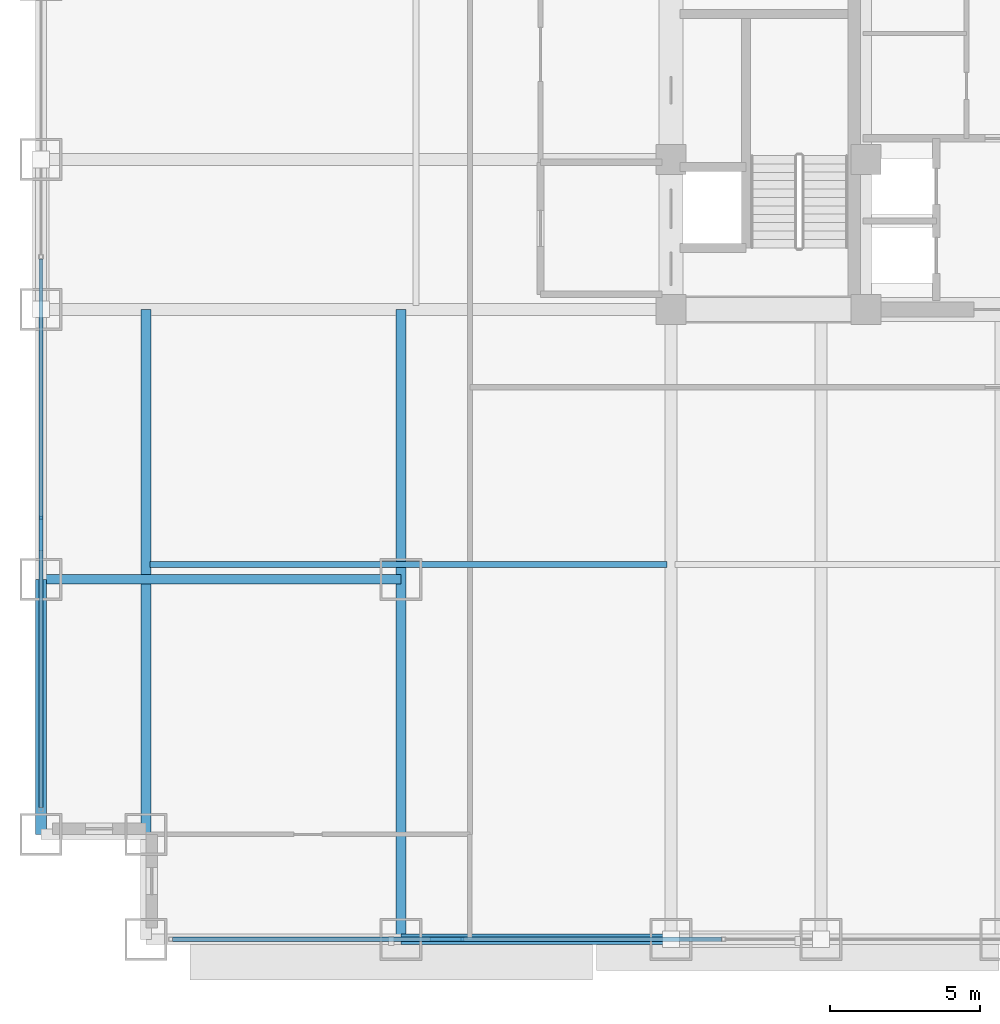
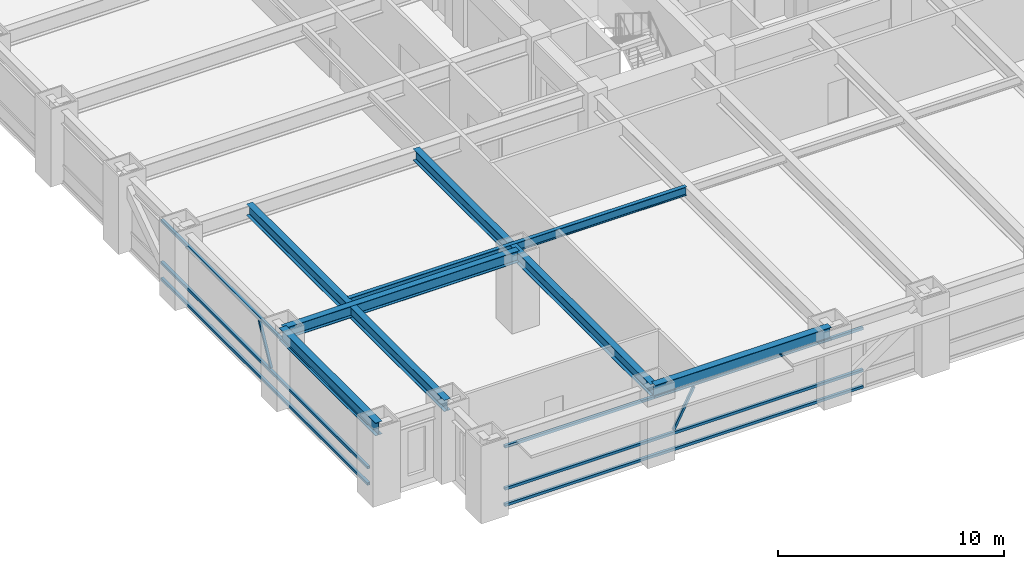
# One storey, part 3 of 31: 8 members, 6 beams, 2 elements without a shape of their own.
"""IFC4 building model written with IfcOpenShell, lengths in metres."""

from ifc_helpers import new_model, si_unit, direction, frame, origin, origin_2d, place, context, subcontext, project, spatial, hollow_rectangle, i_section, extrude, source, transform, mapped, material, material_profile, profile_set, type_object, element, aggregate, save


model = new_model("IFC4")

# Units and contexts
model_context = context("Model", 3, precision=1e-05, world=origin(), true_north=direction((0.0, 1.0)))
body_context = subcontext(model_context, "Body", "Model", "MODEL_VIEW")
ifc_project = project(units=[si_unit("LENGTHUNIT", "METRE"), si_unit("AREAUNIT", "SQUARE_METRE"), si_unit("VOLUMEUNIT", "CUBIC_METRE"), si_unit("PLANEANGLEUNIT", "RADIAN"), si_unit("MASSUNIT", "GRAM", prefix="KILO")], contexts=[model_context])

# Site, building, storey
site_placement = place(None, origin())
site = spatial("IfcSite", under=ifc_project, at=site_placement, CompositionType="ELEMENT")
building_placement = place(site_placement, origin())
building = spatial("IfcBuilding", under=site, at=building_placement, Name="Khorayat Bourse Tower", CompositionType="ELEMENT")
storey_placement = place(building_placement, frame((0.0, 0.0, 32.60009765625)))
storey = spatial("IfcBuildingStorey", under=building, at=storey_placement, Name="L06", CompositionType="ELEMENT", Elevation=32.60009765625)

# Beams
ifc_material_1 = material(Name="Steel ASTM A992 Grade 50", Category="steel")
ifc_material_profile_1 = material_profile(ifc_material_1, i_section(OverallWidth=0.35498046875, OverallDepth=0.695068359375, WebThickness=0.015380859375, FlangeThickness=0.02490234375, FilletRadius=0.01806640625, at=origin_2d()), Name="W690X217")
ifc_profile_set_1 = profile_set([ifc_material_profile_1], Name="Steel ASTM A992 Grade 50")
beam_type_1 = type_object("IfcBeamType", Name="BM-SPAN-690", PredefinedType="SPANDREL", material=ifc_profile_set_1)
shared_shape_1 = source(origin(), body_context, "Body", "SweptSolid", [
    extrude(i_section(OverallWidth=0.35498046875, OverallDepth=0.695068359375, WebThickness=0.015380859375, FlangeThickness=0.02490234375, FilletRadius=0.01806640625, at=origin_2d()), origin(), (0.0, 0.0, 1.0), 8.5),
])
beam_1_placement = place(storey_placement, frame((-32.0, -28.5, 3.59228515625), z_axis=(0.0, 1.0, 0.0), x_axis=(-1.0, 0.0, 0.0)))
element("IfcBeam", 1, at=beam_1_placement, inside=storey, type_object=beam_type_1, Name="L06 BM-SPAN-690 BM-L06-SPN-061", PredefinedType="SPANDREL", context=body_context, shape_type="MappedRepresentation", body=[
    mapped(shared_shape_1, transform((0.0, 0.0, 0.0), scale=1.0)),
])
shared_shape_2 = source(origin(), body_context, "Body", "SweptSolid", [
    extrude(i_section(OverallWidth=0.35498046875, OverallDepth=0.695068359375, WebThickness=0.015380859375, FlangeThickness=0.02490234375, FilletRadius=0.01806640625, at=origin_2d()), origin(), (0.0, 0.0, 1.0), 9.0),
])
beam_2_placement = place(storey_placement, frame((-20.0, -32.0, 3.59228515625), z_axis=(1.0, 0.0, 0.0), x_axis=(0.0, 1.0, 0.0)))
element("IfcBeam", 2, at=beam_2_placement, inside=storey, type_object=beam_type_1, Name="L06 BM-SPAN-690 BM-L06-SPN-025", PredefinedType="SPANDREL", context=body_context, shape_type="MappedRepresentation", body=[
    mapped(shared_shape_2, transform((0.0, 0.0, 0.0), scale=1.0)),
])
ifc_material_profile_2 = material_profile(ifc_material_1, i_section(OverallWidth=0.324951171875, OverallDepth=0.615966796875, WebThickness=0.013916015625, FlangeThickness=0.021484375, FilletRadius=0.01611328125, at=origin_2d()), Name="W610X174")
ifc_profile_set_2 = profile_set([ifc_material_profile_2], Name="Steel ASTM A992 Grade 50")
beam_type_2 = type_object("IfcBeamType", Name="BM-GIRD-610", PredefinedType="BEAM", material=ifc_profile_set_2)
shared_shape_3 = source(origin(), body_context, "Body", "SweptSolid", [
    extrude(i_section(OverallWidth=0.324951171875, OverallDepth=0.615966796875, WebThickness=0.013916015625, FlangeThickness=0.021484375, FilletRadius=0.01611328125, at=origin_2d()), origin(), (0.0, 0.0, 1.0), 21.0),
])
beam_3_placement = place(storey_placement, frame((-20.0, -32.0, 3.6318359375), z_axis=(0.0, 1.0, 0.0), x_axis=(-1.0, 0.0, 0.0)))
element("IfcBeam", 3, at=beam_3_placement, inside=storey, type_object=beam_type_2, Name="L06 BM-GIRD-610 BM-L06-CNRY-084", PredefinedType="BEAM", context=body_context, shape_type="MappedRepresentation", body=[
    mapped(shared_shape_3, transform((0.0, 0.0, 0.0), scale=1.0)),
])
shared_shape_4 = source(origin(), body_context, "Body", "SweptSolid", [
    extrude(i_section(OverallWidth=0.324951171875, OverallDepth=0.615966796875, WebThickness=0.013916015625, FlangeThickness=0.021484375, FilletRadius=0.01611328125, at=origin_2d()), origin(), (0.0, 0.0, 1.0), 17.5),
])
beam_4_placement = place(storey_placement, frame((-28.5, -28.5, 3.6318359375), z_axis=(0.0, 1.0, 0.0), x_axis=(-1.0, 0.0, 0.0)))
element("IfcBeam", 4, at=beam_4_placement, inside=storey, type_object=beam_type_2, Name="L06 BM-GIRD-610 BM-L06-CNRY-088", PredefinedType="BEAM", context=body_context, shape_type="MappedRepresentation", body=[
    mapped(shared_shape_4, transform((0.0, 0.0, 0.0), scale=1.0)),
])
shared_shape_5 = source(origin(), body_context, "Body", "SweptSolid", [
    extrude(i_section(OverallWidth=0.324951171875, OverallDepth=0.615966796875, WebThickness=0.013916015625, FlangeThickness=0.021484375, FilletRadius=0.01611328125, at=origin_2d()), origin(), (0.0, 0.0, 1.0), 12.0),
])
beam_5_placement = place(storey_placement, frame((-32.0, -20.0, 3.6318359375), z_axis=(1.0, 0.0, 0.0), x_axis=(0.0, 1.0, 0.0)))
element("IfcBeam", 5, at=beam_5_placement, inside=storey, type_object=beam_type_2, Name="L06 BM-GIRD-610 BM-L06-CNRX-093", PredefinedType="BEAM", context=body_context, shape_type="MappedRepresentation", body=[
    mapped(shared_shape_5, transform((0.0, 0.0, 0.0), scale=1.0)),
])
ifc_material_profile_3 = material_profile(ifc_material_1, i_section(OverallWidth=0.194091796875, OverallDepth=0.468994140625, WebThickness=0.0126953125, FlangeThickness=0.0205078125, FilletRadius=0.012939453125, at=origin_2d()), Name="W460X106")
ifc_profile_set_3 = profile_set([ifc_material_profile_3], Name="Steel ASTM A992 Grade 50")
beam_type_3 = type_object("IfcBeamType", Name="BM-JOIST-460", PredefinedType="JOIST", material=ifc_profile_set_3)
shared_shape_6 = source(origin(), body_context, "Body", "SweptSolid", [
    extrude(i_section(OverallWidth=0.194091796875, OverallDepth=0.468994140625, WebThickness=0.0126953125, FlangeThickness=0.0205078125, FilletRadius=0.012939453125, at=origin_2d()), origin(), (0.0, 0.0, 1.0), 17.240234375),
])
beam_6_placement = place(storey_placement, frame((-28.3701171875, -19.5, 3.705322265625), z_axis=(1.0, 0.0, 0.0), x_axis=(0.0, 1.0, 0.0)))
element("IfcBeam", 6, at=beam_6_placement, inside=storey, type_object=beam_type_3, Name="L06 BM-JOIST-460 BM-L06-JSTX-096", PredefinedType="JOIST", context=body_context, shape_type="MappedRepresentation", body=[
    mapped(shared_shape_6, transform((0.0, 0.0, 0.0), scale=1.0)),
])

# Curtain wall, members
ifc_material_2 = material(Name="Aluminium EN AW-6063 T6", Category="aluminium")
curtain_wall_type = type_object("IfcCurtainWallType", Name="CW-SYS-02", PredefinedType="NOTDEFINED", material=ifc_material_2)
curtain_wall_1_placement = place(storey_placement, origin())
curtain_wall_1 = element("IfcCurtainWall", 7, at=curtain_wall_1_placement, inside=storey, type_object=curtain_wall_type, Name="L06 Curtain Wall CW-L06-S1", PredefinedType="NOTDEFINED")
ifc_material_profile_4 = material_profile(ifc_material_2, hollow_rectangle(XDim=0.139892578125, YDim=0.139892578125, WallThickness=0.006103515625, at=origin_2d()), Name="ALU 140x140x6")
ifc_profile_set_4 = profile_set([ifc_material_profile_4], Name="Aluminium EN AW-6063 T6")
member_type_1 = type_object("IfcMemberType", Name="CWT-HORZ-140", PredefinedType="USERDEFINED", material=ifc_profile_set_4)
shared_shape_7 = source(origin(), body_context, "Body", "SweptSolid", [
    extrude(hollow_rectangle(XDim=0.139892578125, YDim=0.139892578125, WallThickness=0.006103515625, at=origin_2d()), origin(), (0.0, 0.0, 1.0), 18.2900390625),
])
member_1_placement = place(storey_placement, frame((-27.610107421875, -32.0, 0.06982421875), z_axis=(1.0, 0.0, 0.0), x_axis=(0.0, 1.0, 0.0)))
member_1 = element("IfcMember", 8, at=member_1_placement, type_object=member_type_1, Name="CW-L06-S1 Horizontal Transom 1-1", ObjectType="TRANSOM", PredefinedType="USERDEFINED", context=body_context, shape_type="MappedRepresentation", body=[
    mapped(shared_shape_7, transform((0.0, 0.0, 0.0), scale=1.0)),
])
member_2_placement = place(storey_placement, frame((-27.610107421875, -32.0, 0.949951171875), z_axis=(1.0, 0.0, 0.0), x_axis=(0.0, 1.0, 0.0)))
member_2 = element("IfcMember", 9, at=member_2_placement, type_object=member_type_1, Name="CW-L06-S1 Horizontal Transom 1-2", ObjectType="TRANSOM", PredefinedType="USERDEFINED", context=body_context, shape_type="MappedRepresentation", body=[
    mapped(shared_shape_7, transform((0.0, 0.0, 0.0), scale=1.0)),
])
member_3_placement = place(storey_placement, frame((-27.610107421875, -32.0, 3.219970703125), z_axis=(1.0, 0.0, 0.0), x_axis=(0.0, 1.0, 0.0)))
member_3 = element("IfcMember", 10, at=member_3_placement, type_object=member_type_1, Name="CW-L06-S1 Horizontal Transom 1-3", ObjectType="TRANSOM", PredefinedType="USERDEFINED", context=body_context, shape_type="MappedRepresentation", body=[
    mapped(shared_shape_7, transform((0.0, 0.0, 0.0), scale=1.0)),
])

curtain_wall_2_placement = place(storey_placement, origin())
curtain_wall_2 = element("IfcCurtainWall", 11, at=curtain_wall_2_placement, inside=storey, type_object=curtain_wall_type, Name="L06 Curtain Wall CW-L06-W1", PredefinedType="NOTDEFINED")
member_4_placement = place(storey_placement, frame((-32.0, -27.610107421875, 0.06982421875), z_axis=(0.0, 1.0, 0.0), x_axis=(-1.0, 0.0, 0.0)))
member_4 = element("IfcMember", 12, at=member_4_placement, type_object=member_type_1, Name="CW-L06-W1 Horizontal Transom 1-1", ObjectType="TRANSOM", PredefinedType="USERDEFINED", context=body_context, shape_type="MappedRepresentation", body=[
    mapped(shared_shape_7, transform((0.0, 0.0, 0.0), scale=1.0)),
])
member_5_placement = place(storey_placement, frame((-32.0, -27.610107421875, 0.949951171875), z_axis=(0.0, 1.0, 0.0), x_axis=(-1.0, 0.0, 0.0)))
member_5 = element("IfcMember", 13, at=member_5_placement, type_object=member_type_1, Name="CW-L06-W1 Horizontal Transom 1-2", ObjectType="TRANSOM", PredefinedType="USERDEFINED", context=body_context, shape_type="MappedRepresentation", body=[
    mapped(shared_shape_7, transform((0.0, 0.0, 0.0), scale=1.0)),
])
member_6_placement = place(storey_placement, frame((-32.0, -27.610107421875, 3.219970703125), z_axis=(0.0, 1.0, 0.0), x_axis=(-1.0, 0.0, 0.0)))
member_6 = element("IfcMember", 14, at=member_6_placement, type_object=member_type_1, Name="CW-L06-W1 Horizontal Transom 1-3", ObjectType="TRANSOM", PredefinedType="USERDEFINED", context=body_context, shape_type="MappedRepresentation", body=[
    mapped(shared_shape_7, transform((0.0, 0.0, 0.0), scale=1.0)),
])

# Member
ifc_material_profile_5 = material_profile(ifc_material_2, hollow_rectangle(XDim=0.1201171875, YDim=0.1201171875, WallThickness=0.0048828125, at=origin_2d()), Name="ALU 120x120x5")
ifc_profile_set_5 = profile_set([ifc_material_profile_5], Name="Aluminium EN AW-6063 T6")
member_type_2 = type_object("IfcMemberType", Name="CWM-DIAG-120", PredefinedType="MULLION", material=ifc_profile_set_5)
shared_shape_8 = source(origin(), body_context, "Body", "SweptSolid", [
    extrude(hollow_rectangle(XDim=0.1201171875, YDim=0.1201171875, WallThickness=0.0048828125, at=origin_2d()), origin(), (0.0, 0.0, 1.0), 2.22607421875),
])
member_7_placement = place(storey_placement, frame((-18.9833984375, -32.0, 1.099853515625), z_axis=(0.465759992596, 0.0, 0.884911085532), x_axis=(0.0, 1.0, 0.0)))
member_7 = element("IfcMember", 15, at=member_7_placement, type_object=member_type_2, Name="CW-L06-S1 Faceted Diagonal Mullion 1", PredefinedType="MULLION", context=body_context, shape_type="MappedRepresentation", body=[
    mapped(shared_shape_8, transform((0.0, 0.0, 0.0), scale=1.0)),
])

aggregate(curtain_wall_1, [member_1, member_2, member_3, member_7])

member_8_placement = place(storey_placement, frame((-32.0, -18.9833984375, 1.099853515625), z_axis=(0.0, 0.465759992596, 0.884911085532), x_axis=(-1.0, 0.0, 0.0)))
member_8 = element("IfcMember", 16, at=member_8_placement, type_object=member_type_2, Name="CW-L06-W1 Faceted Diagonal Mullion 1", PredefinedType="MULLION", context=body_context, shape_type="MappedRepresentation", body=[
    mapped(shared_shape_8, transform((0.0, 0.0, 0.0), scale=1.0)),
])

aggregate(curtain_wall_2, [member_4, member_5, member_6, member_8])

save(model, "model.ifc")
